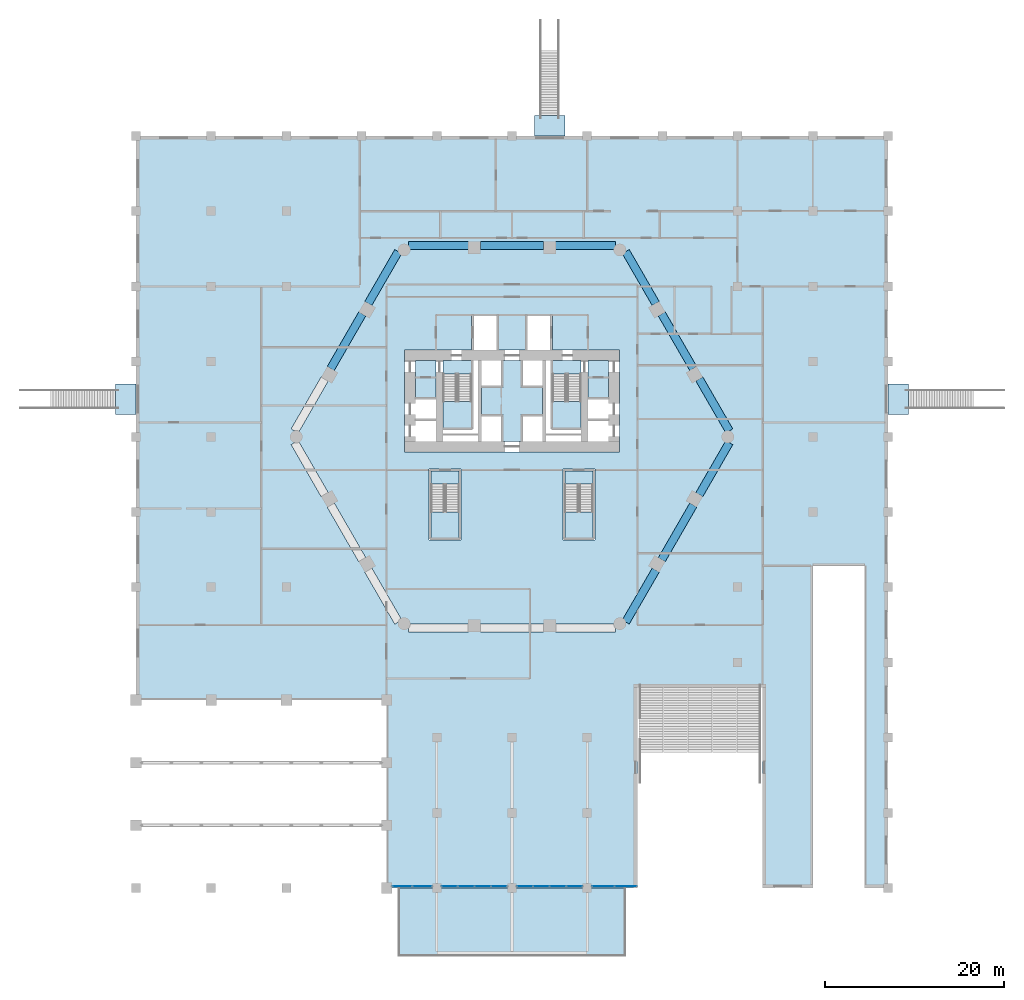
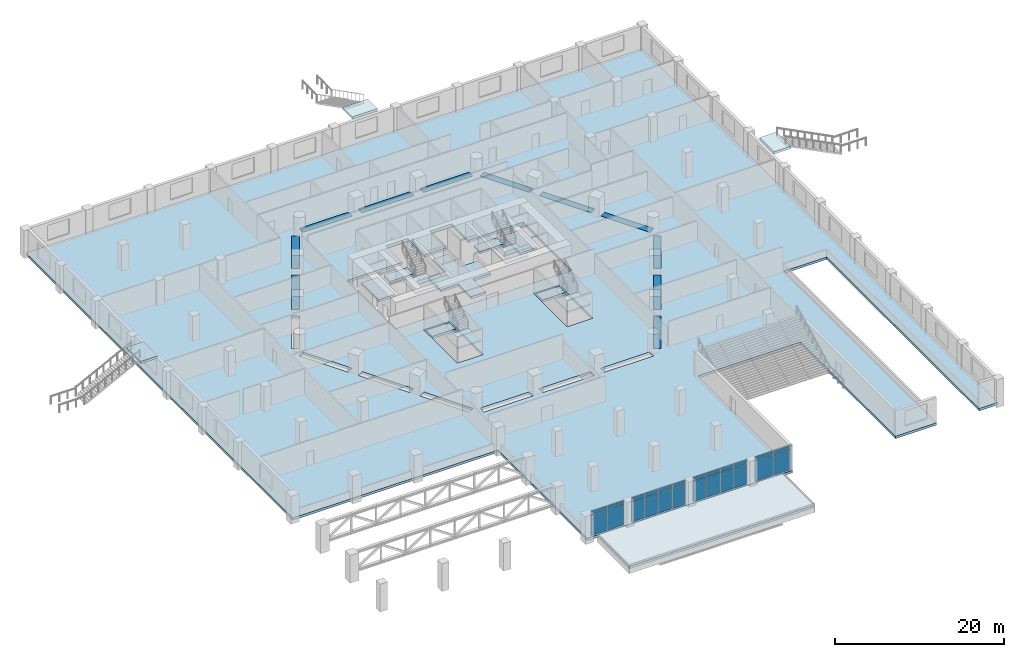
# One storey, part 11 of 24: 24 plates, 16 slabs, 11 beams, 11 elements without a shape of their own.
"""IFC4 building model written with IfcOpenShell, lengths in metres."""

from ifc_helpers import new_model, si_unit, direction, frame, origin, origin_2d, place, context, subcontext, project, spatial, polyline, rectangle, outline, extrude, material, layer, layer_set, material_profile, profile_set, type_object, element, aggregate, save


model = new_model("IFC4")

# Units and contexts
model_context = context("Model", 3, precision=1e-05, world=origin(), true_north=direction((0.0, 1.0)))
body_context = subcontext(model_context, "Body", "Model", "MODEL_VIEW")
ifc_project = project(units=[si_unit("LENGTHUNIT", "METRE"), si_unit("AREAUNIT", "SQUARE_METRE"), si_unit("VOLUMEUNIT", "CUBIC_METRE"), si_unit("PLANEANGLEUNIT", "RADIAN"), si_unit("MASSUNIT", "GRAM", prefix="KILO")], contexts=[model_context])

# Site, building, storey
site_placement = place(None, origin())
site = spatial("IfcSite", under=ifc_project, at=site_placement, CompositionType="ELEMENT")
building_placement = place(site_placement, origin())
building = spatial("IfcBuilding", under=site, at=building_placement, Name="Ostrander Bayou Hotel Tower", CompositionType="ELEMENT")
storey_placement = place(building_placement, frame((0.0, 0.0, 6.0)))
storey = spatial("IfcBuildingStorey", under=building, at=storey_placement, Name="L01", CompositionType="ELEMENT", Elevation=6.0)

# Beams
ifc_material_1 = material(Name="Concrete f'c 70 MPa", Category="concrete")
ifc_material_profile = material_profile(ifc_material_1, rectangle(XDim=0.89990234375, YDim=1.199951171875, at=origin_2d()))
ifc_profile_set = profile_set([ifc_material_profile], Name="Concrete f'c 70 MPa")
beam_type = type_object("IfcBeamType", Name="SP1 spandrel beam 900 x 1200 mm f'c 70 MPa", PredefinedType="SPANDREL", material=ifc_profile_set)
beam_1_placement = place(storey_placement, frame((11.569091796875, 21.35009765625, -0.60009765625), z_axis=(-1.0, 0.0, 0.0), x_axis=(0.0, -1.0, 0.0)))
element("IfcBeam", 1, at=beam_1_placement, inside=storey, type_object=beam_type, Name="SP1 L01 N-1", PredefinedType="SPANDREL", context=body_context, shape_type="SweptSolid", body=[
    extrude(rectangle(XDim=0.89990234375, YDim=1.199951171875, at=origin_2d()), origin(), (0.0, 0.0, 1.0), 6.70361328125),
])
beam_2_placement = place(storey_placement, frame((3.525390625, 21.35009765625, -0.60009765625), z_axis=(-1.0, 0.0, 0.0), x_axis=(0.0, -1.0, 0.0)))
element("IfcBeam", 2, at=beam_2_placement, inside=storey, type_object=beam_type, Name="SP1 L01 N-2", PredefinedType="SPANDREL", context=body_context, shape_type="SweptSolid", body=[
    extrude(rectangle(XDim=0.89990234375, YDim=1.199951171875, at=origin_2d()), origin(), (0.0, 0.0, 1.0), 7.05078125),
])
for number, where, z_axis, x_axis, name in (
    (3, (-4.865478515625, 21.35009765625, -0.60009765625), (-1.0, 0.0, 0.0), (0.0, -1.0, 0.0), "SP1 L01 N-3"),
    (4, (-12.705078125, 20.694091796875, -0.60009765625), (-0.500005133765, -0.866022439784, 0.0), (0.866022439784, -0.500005133765, 0.0), "SP1 L01 NW-1"),
):
    element("IfcBeam", number, at=place(storey_placement, frame(where, z_axis=z_axis, x_axis=x_axis)), inside=storey, type_object=beam_type, Name=name, PredefinedType="SPANDREL", context=body_context, shape_type="SweptSolid", body=[
        extrude(rectangle(XDim=0.89990234375, YDim=1.199951171875, at=origin_2d()), origin(), (0.0, 0.0, 1.0), 6.70361328125),
    ])
beam_3_placement = place(storey_placement, frame((-16.726806640625, 13.72802734375, -0.60009765625), z_axis=(-0.499997206141, -0.866027016814, 0.0), x_axis=(0.866027016814, -0.499997206141, 0.0)))
element("IfcBeam", 5, at=beam_3_placement, inside=storey, type_object=beam_type, Name="SP1 L01 NW-2", PredefinedType="SPANDREL", context=body_context, shape_type="SweptSolid", body=[
    extrude(rectangle(XDim=0.89990234375, YDim=1.199951171875, at=origin_2d()), origin(), (0.0, 0.0, 1.0), 7.05078125),
])
beam_4_placement = place(storey_placement, frame((12.705078125, -20.694091796875, -0.60009765625), z_axis=(0.500005133765, 0.866022439784, 0.0), x_axis=(-0.866022439784, 0.500005133765, 0.0)))
element("IfcBeam", 6, at=beam_4_placement, inside=storey, type_object=beam_type, Name="SP1 L01 SE-1", PredefinedType="SPANDREL", context=body_context, shape_type="SweptSolid", body=[
    extrude(rectangle(XDim=0.89990234375, YDim=1.199951171875, at=origin_2d()), origin(), (0.0, 0.0, 1.0), 6.70361328125),
])
beam_5_placement = place(storey_placement, frame((16.726806640625, -13.72802734375, -0.60009765625), z_axis=(0.499997206141, 0.866027016814, 0.0), x_axis=(-0.866027016814, 0.499997206141, 0.0)))
element("IfcBeam", 7, at=beam_5_placement, inside=storey, type_object=beam_type, Name="SP1 L01 SE-2", PredefinedType="SPANDREL", context=body_context, shape_type="SweptSolid", body=[
    extrude(rectangle(XDim=0.89990234375, YDim=1.199951171875, at=origin_2d()), origin(), (0.0, 0.0, 1.0), 7.05078125),
])
for number, where, z_axis, x_axis, name in (
    (8, (20.92236328125, -6.46142578125, -0.60009765625), (0.500005133765, 0.866022439784, 0.0), (-0.866022439784, 0.500005133765, 0.0), "SP1 L01 SE-3"),
    (9, (24.274169921875, 0.656005859375, -0.60009765625), (-0.500005133765, 0.866022439784, 0.0), (-0.866022439784, -0.500005133765, 0.0), "SP1 L01 NE-1"),
):
    element("IfcBeam", number, at=place(storey_placement, frame(where, z_axis=z_axis, x_axis=x_axis)), inside=storey, type_object=beam_type, Name=name, PredefinedType="SPANDREL", context=body_context, shape_type="SweptSolid", body=[
        extrude(rectangle(XDim=0.89990234375, YDim=1.199951171875, at=origin_2d()), origin(), (0.0, 0.0, 1.0), 6.70361328125),
    ])
beam_6_placement = place(storey_placement, frame((20.252197265625, 7.621826171875, -0.60009765625), z_axis=(-0.499997206141, 0.866027016814, 0.0), x_axis=(-0.866027016814, -0.499997206141, 0.0)))
element("IfcBeam", 10, at=beam_6_placement, inside=storey, type_object=beam_type, Name="SP1 L01 NE-2", PredefinedType="SPANDREL", context=body_context, shape_type="SweptSolid", body=[
    extrude(rectangle(XDim=0.89990234375, YDim=1.199951171875, at=origin_2d()), origin(), (0.0, 0.0, 1.0), 7.05078125),
])
beam_7_placement = place(storey_placement, frame((16.056884765625, 14.888671875, -0.60009765625), z_axis=(-0.500005133765, 0.866022439784, 0.0), x_axis=(-0.866022439784, -0.500005133765, 0.0)))
element("IfcBeam", 11, at=beam_7_placement, inside=storey, type_object=beam_type, Name="SP1 L01 NE-3", PredefinedType="SPANDREL", context=body_context, shape_type="SweptSolid", body=[
    extrude(rectangle(XDim=0.89990234375, YDim=1.199951171875, at=origin_2d()), origin(), (0.0, 0.0, 1.0), 6.70361328125),
])

# Curtain wall, plates
ifc_material_2 = material(Name="Aluminium and clear glass", Category="aluminium")
curtain_wall_type = type_object("IfcCurtainWallType", Name="CW-LOBBY glazed wall", PredefinedType="NOTDEFINED", material=ifc_material_2)
curtain_wall_1_placement = place(storey_placement, origin())
curtain_wall_1 = element("IfcCurtainWall", 12, at=curtain_wall_1_placement, inside=storey, type_object=curtain_wall_type, Name="CW-LOBBY L01:2", PredefinedType="NOTDEFINED")
ifc_material_3 = material(Name="Clear laminated glass", Category="glass")
ifc_layer_1 = layer(ifc_material_3, 0.028076171875)
ifc_layer_set_1 = layer_set([ifc_layer_1], Name="CW-LO glazing panel 28 mm")
plate_type = type_object("IfcPlateType", Name="CW-LO glazing panel 28 mm", PredefinedType="CURTAIN_PANEL", material=ifc_layer_set_1)
plate_1_placement = place(storey_placement, frame((12.7099609375, -50.199951171875, 0.06005859375), z_axis=(0.0, 0.0, 1.0), x_axis=(-1.0, 0.0, 0.0)))
plate_1 = element("IfcPlate", 13, at=plate_1_placement, type_object=plate_type, Name="CW-LOBBY panel 1.1", PredefinedType="CURTAIN_PANEL", context=body_context, shape_type="SweptSolid", body=[
    extrude(rectangle(XDim=2.4599609375, YDim=0.028076171875, at=origin_2d()), origin(), (0.0, 0.0, 1.0), 2.909912109375),
])
plate_2_placement = place(storey_placement, frame((12.7099609375, -50.199951171875, 3.030029296875), z_axis=(0.0, 0.0, 1.0), x_axis=(-1.0, 0.0, 0.0)))
plate_2 = element("IfcPlate", 14, at=plate_2_placement, type_object=plate_type, Name="CW-LOBBY panel 1.2", PredefinedType="CURTAIN_PANEL", context=body_context, shape_type="SweptSolid", body=[
    extrude(rectangle(XDim=2.4599609375, YDim=0.028076171875, at=origin_2d()), origin(), (0.0, 0.0, 1.0), 0.56005859375),
])
plate_3_placement = place(storey_placement, frame((10.18994140625, -50.199951171875, 0.06005859375), z_axis=(0.0, 0.0, 1.0), x_axis=(-1.0, 0.0, 0.0)))
plate_3 = element("IfcPlate", 15, at=plate_3_placement, type_object=plate_type, Name="CW-LOBBY panel 2.1", PredefinedType="CURTAIN_PANEL", context=body_context, shape_type="SweptSolid", body=[
    extrude(rectangle(XDim=2.4599609375, YDim=0.028076171875, at=origin_2d()), origin(), (0.0, 0.0, 1.0), 2.909912109375),
])
plate_4_placement = place(storey_placement, frame((10.18994140625, -50.199951171875, 3.030029296875), z_axis=(0.0, 0.0, 1.0), x_axis=(-1.0, 0.0, 0.0)))
plate_4 = element("IfcPlate", 16, at=plate_4_placement, type_object=plate_type, Name="CW-LOBBY panel 2.2", PredefinedType="CURTAIN_PANEL", context=body_context, shape_type="SweptSolid", body=[
    extrude(rectangle(XDim=2.4599609375, YDim=0.028076171875, at=origin_2d()), origin(), (0.0, 0.0, 1.0), 0.56005859375),
])
aggregate(curtain_wall_1, [plate_1, plate_2, plate_3, plate_4])

curtain_wall_2_placement = place(storey_placement, origin())
curtain_wall_2 = element("IfcCurtainWall", 17, at=curtain_wall_2_placement, inside=storey, type_object=curtain_wall_type, Name="CW-LOBBY L01:3", PredefinedType="NOTDEFINED")
plate_5_placement = place(storey_placement, frame((6.9599609375, -50.199951171875, 0.06005859375), z_axis=(0.0, 0.0, 1.0), x_axis=(-1.0, 0.0, 0.0)))
plate_5 = element("IfcPlate", 18, at=plate_5_placement, type_object=plate_type, Name="CW-LOBBY panel 1.1", PredefinedType="CURTAIN_PANEL", context=body_context, shape_type="SweptSolid", body=[
    extrude(rectangle(XDim=1.760009765625, YDim=0.028076171875, at=origin_2d()), origin(), (0.0, 0.0, 1.0), 2.909912109375),
])
plate_6_placement = place(storey_placement, frame((6.9599609375, -50.199951171875, 3.030029296875), z_axis=(0.0, 0.0, 1.0), x_axis=(-1.0, 0.0, 0.0)))
plate_6 = element("IfcPlate", 19, at=plate_6_placement, type_object=plate_type, Name="CW-LOBBY panel 1.2", PredefinedType="CURTAIN_PANEL", context=body_context, shape_type="SweptSolid", body=[
    extrude(rectangle(XDim=1.760009765625, YDim=0.028076171875, at=origin_2d()), origin(), (0.0, 0.0, 1.0), 0.56005859375),
])
plate_7_placement = place(storey_placement, frame((5.125, -50.199951171875, 0.06005859375), z_axis=(0.0, 0.0, 1.0), x_axis=(-1.0, 0.0, 0.0)))
plate_7 = element("IfcPlate", 20, at=plate_7_placement, type_object=plate_type, Name="CW-LOBBY panel 2.1", PredefinedType="CURTAIN_PANEL", context=body_context, shape_type="SweptSolid", body=[
    extrude(rectangle(XDim=1.7900390625, YDim=0.028076171875, at=origin_2d()), origin(), (0.0, 0.0, 1.0), 2.909912109375),
])
plate_8_placement = place(storey_placement, frame((5.125, -50.199951171875, 3.030029296875), z_axis=(0.0, 0.0, 1.0), x_axis=(-1.0, 0.0, 0.0)))
plate_8 = element("IfcPlate", 21, at=plate_8_placement, type_object=plate_type, Name="CW-LOBBY panel 2.2", PredefinedType="CURTAIN_PANEL", context=body_context, shape_type="SweptSolid", body=[
    extrude(rectangle(XDim=1.7900390625, YDim=0.028076171875, at=origin_2d()), origin(), (0.0, 0.0, 1.0), 0.56005859375),
])
plate_9_placement = place(storey_placement, frame((3.27490234375, -50.199951171875, 0.06005859375), z_axis=(0.0, 0.0, 1.0), x_axis=(-1.0, 0.0, 0.0)))
plate_9 = element("IfcPlate", 22, at=plate_9_placement, type_object=plate_type, Name="CW-LOBBY panel 3.1", PredefinedType="CURTAIN_PANEL", context=body_context, shape_type="SweptSolid", body=[
    extrude(rectangle(XDim=1.7900390625, YDim=0.028076171875, at=origin_2d()), origin(), (0.0, 0.0, 1.0), 2.909912109375),
])
plate_10_placement = place(storey_placement, frame((3.27490234375, -50.199951171875, 3.030029296875), z_axis=(0.0, 0.0, 1.0), x_axis=(-1.0, 0.0, 0.0)))
plate_10 = element("IfcPlate", 23, at=plate_10_placement, type_object=plate_type, Name="CW-LOBBY panel 3.2", PredefinedType="CURTAIN_PANEL", context=body_context, shape_type="SweptSolid", body=[
    extrude(rectangle(XDim=1.7900390625, YDim=0.028076171875, at=origin_2d()), origin(), (0.0, 0.0, 1.0), 0.56005859375),
])
plate_11_placement = place(storey_placement, frame((1.43994140625, -50.199951171875, 0.06005859375), z_axis=(0.0, 0.0, 1.0), x_axis=(-1.0, 0.0, 0.0)))
plate_11 = element("IfcPlate", 24, at=plate_11_placement, type_object=plate_type, Name="CW-LOBBY panel 4.1", PredefinedType="CURTAIN_PANEL", context=body_context, shape_type="SweptSolid", body=[
    extrude(rectangle(XDim=1.760009765625, YDim=0.028076171875, at=origin_2d()), origin(), (0.0, 0.0, 1.0), 2.909912109375),
])
plate_12_placement = place(storey_placement, frame((1.43994140625, -50.199951171875, 3.030029296875), z_axis=(0.0, 0.0, 1.0), x_axis=(-1.0, 0.0, 0.0)))
plate_12 = element("IfcPlate", 25, at=plate_12_placement, type_object=plate_type, Name="CW-LOBBY panel 4.2", PredefinedType="CURTAIN_PANEL", context=body_context, shape_type="SweptSolid", body=[
    extrude(rectangle(XDim=1.760009765625, YDim=0.028076171875, at=origin_2d()), origin(), (0.0, 0.0, 1.0), 0.56005859375),
])
aggregate(curtain_wall_2, [plate_5, plate_6, plate_7, plate_8, plate_9, plate_10, plate_11, plate_12])

curtain_wall_3_placement = place(storey_placement, origin())
curtain_wall_3 = element("IfcCurtainWall", 26, at=curtain_wall_3_placement, inside=storey, type_object=curtain_wall_type, Name="CW-LOBBY L01:4", PredefinedType="NOTDEFINED")
plate_13_placement = place(storey_placement, frame((-1.43994140625, -50.199951171875, 0.06005859375), z_axis=(0.0, 0.0, 1.0), x_axis=(-1.0, 0.0, 0.0)))
plate_13 = element("IfcPlate", 27, at=plate_13_placement, type_object=plate_type, Name="CW-LOBBY panel 1.1", PredefinedType="CURTAIN_PANEL", context=body_context, shape_type="SweptSolid", body=[
    extrude(rectangle(XDim=1.760009765625, YDim=0.028076171875, at=origin_2d()), origin(), (0.0, 0.0, 1.0), 2.909912109375),
])
plate_14_placement = place(storey_placement, frame((-1.43994140625, -50.199951171875, 3.030029296875), z_axis=(0.0, 0.0, 1.0), x_axis=(-1.0, 0.0, 0.0)))
plate_14 = element("IfcPlate", 28, at=plate_14_placement, type_object=plate_type, Name="CW-LOBBY panel 1.2", PredefinedType="CURTAIN_PANEL", context=body_context, shape_type="SweptSolid", body=[
    extrude(rectangle(XDim=1.760009765625, YDim=0.028076171875, at=origin_2d()), origin(), (0.0, 0.0, 1.0), 0.56005859375),
])
plate_15_placement = place(storey_placement, frame((-3.27490234375, -50.199951171875, 0.06005859375), z_axis=(0.0, 0.0, 1.0), x_axis=(-1.0, 0.0, 0.0)))
plate_15 = element("IfcPlate", 29, at=plate_15_placement, type_object=plate_type, Name="CW-LOBBY panel 2.1", PredefinedType="CURTAIN_PANEL", context=body_context, shape_type="SweptSolid", body=[
    extrude(rectangle(XDim=1.7900390625, YDim=0.028076171875, at=origin_2d()), origin(), (0.0, 0.0, 1.0), 2.909912109375),
])
plate_16_placement = place(storey_placement, frame((-3.27490234375, -50.199951171875, 3.030029296875), z_axis=(0.0, 0.0, 1.0), x_axis=(-1.0, 0.0, 0.0)))
plate_16 = element("IfcPlate", 30, at=plate_16_placement, type_object=plate_type, Name="CW-LOBBY panel 2.2", PredefinedType="CURTAIN_PANEL", context=body_context, shape_type="SweptSolid", body=[
    extrude(rectangle(XDim=1.7900390625, YDim=0.028076171875, at=origin_2d()), origin(), (0.0, 0.0, 1.0), 0.56005859375),
])
plate_17_placement = place(storey_placement, frame((-5.125, -50.199951171875, 0.06005859375), z_axis=(0.0, 0.0, 1.0), x_axis=(-1.0, 0.0, 0.0)))
plate_17 = element("IfcPlate", 31, at=plate_17_placement, type_object=plate_type, Name="CW-LOBBY panel 3.1", PredefinedType="CURTAIN_PANEL", context=body_context, shape_type="SweptSolid", body=[
    extrude(rectangle(XDim=1.7900390625, YDim=0.028076171875, at=origin_2d()), origin(), (0.0, 0.0, 1.0), 2.909912109375),
])
plate_18_placement = place(storey_placement, frame((-5.125, -50.199951171875, 3.030029296875), z_axis=(0.0, 0.0, 1.0), x_axis=(-1.0, 0.0, 0.0)))
plate_18 = element("IfcPlate", 32, at=plate_18_placement, type_object=plate_type, Name="CW-LOBBY panel 3.2", PredefinedType="CURTAIN_PANEL", context=body_context, shape_type="SweptSolid", body=[
    extrude(rectangle(XDim=1.7900390625, YDim=0.028076171875, at=origin_2d()), origin(), (0.0, 0.0, 1.0), 0.56005859375),
])
plate_19_placement = place(storey_placement, frame((-6.9599609375, -50.199951171875, 0.06005859375), z_axis=(0.0, 0.0, 1.0), x_axis=(-1.0, 0.0, 0.0)))
plate_19 = element("IfcPlate", 33, at=plate_19_placement, type_object=plate_type, Name="CW-LOBBY panel 4.1", PredefinedType="CURTAIN_PANEL", context=body_context, shape_type="SweptSolid", body=[
    extrude(rectangle(XDim=1.760009765625, YDim=0.028076171875, at=origin_2d()), origin(), (0.0, 0.0, 1.0), 2.909912109375),
])
plate_20_placement = place(storey_placement, frame((-6.9599609375, -50.199951171875, 3.030029296875), z_axis=(0.0, 0.0, 1.0), x_axis=(-1.0, 0.0, 0.0)))
plate_20 = element("IfcPlate", 34, at=plate_20_placement, type_object=plate_type, Name="CW-LOBBY panel 4.2", PredefinedType="CURTAIN_PANEL", context=body_context, shape_type="SweptSolid", body=[
    extrude(rectangle(XDim=1.760009765625, YDim=0.028076171875, at=origin_2d()), origin(), (0.0, 0.0, 1.0), 0.56005859375),
])
aggregate(curtain_wall_3, [plate_13, plate_14, plate_15, plate_16, plate_17, plate_18, plate_19, plate_20])

curtain_wall_4_placement = place(storey_placement, origin())
curtain_wall_4 = element("IfcCurtainWall", 35, at=curtain_wall_4_placement, inside=storey, type_object=curtain_wall_type, Name="CW-LOBBY L01:5", PredefinedType="NOTDEFINED")
plate_21_placement = place(storey_placement, frame((-10.0400390625, -50.199951171875, 0.06005859375), z_axis=(0.0, 0.0, 1.0), x_axis=(-1.0, 0.0, 0.0)))
plate_21 = element("IfcPlate", 36, at=plate_21_placement, type_object=plate_type, Name="CW-LOBBY panel 1.1", PredefinedType="CURTAIN_PANEL", context=body_context, shape_type="SweptSolid", body=[
    extrude(rectangle(XDim=2.159912109375, YDim=0.028076171875, at=origin_2d()), origin(), (0.0, 0.0, 1.0), 2.909912109375),
])
plate_22_placement = place(storey_placement, frame((-10.0400390625, -50.199951171875, 3.030029296875), z_axis=(0.0, 0.0, 1.0), x_axis=(-1.0, 0.0, 0.0)))
plate_22 = element("IfcPlate", 37, at=plate_22_placement, type_object=plate_type, Name="CW-LOBBY panel 1.2", PredefinedType="CURTAIN_PANEL", context=body_context, shape_type="SweptSolid", body=[
    extrude(rectangle(XDim=2.159912109375, YDim=0.028076171875, at=origin_2d()), origin(), (0.0, 0.0, 1.0), 0.56005859375),
])
plate_23_placement = place(storey_placement, frame((-12.260009765625, -50.199951171875, 0.06005859375), z_axis=(0.0, 0.0, 1.0), x_axis=(-1.0, 0.0, 0.0)))
plate_23 = element("IfcPlate", 38, at=plate_23_placement, type_object=plate_type, Name="CW-LOBBY panel 2.1", PredefinedType="CURTAIN_PANEL", context=body_context, shape_type="SweptSolid", body=[
    extrude(rectangle(XDim=2.159912109375, YDim=0.028076171875, at=origin_2d()), origin(), (0.0, 0.0, 1.0), 2.909912109375),
])
plate_24_placement = place(storey_placement, frame((-12.260009765625, -50.199951171875, 3.030029296875), z_axis=(0.0, 0.0, 1.0), x_axis=(-1.0, 0.0, 0.0)))
plate_24 = element("IfcPlate", 39, at=plate_24_placement, type_object=plate_type, Name="CW-LOBBY panel 2.2", PredefinedType="CURTAIN_PANEL", context=body_context, shape_type="SweptSolid", body=[
    extrude(rectangle(XDim=2.159912109375, YDim=0.028076171875, at=origin_2d()), origin(), (0.0, 0.0, 1.0), 0.56005859375),
])
aggregate(curtain_wall_4, [plate_21, plate_22, plate_23, plate_24])

# Slabs
ifc_material_4 = material(Name="Concrete f'c 45 MPa", Category="concrete")
ifc_layer_2 = layer(ifc_material_4, 0.35009765625)
ifc_layer_set_2 = layer_set([ifc_layer_2], Name="SL2 post-tensioned flat plate 350 mm f'c 45 MPa")
slab_type_1 = type_object("IfcSlabType", Name="SL2 post-tensioned flat plate 350 mm f'c 45 MPa", PredefinedType="FLOOR", material=ifc_layer_set_2)
slab_1_placement = place(storey_placement, frame((0.0, 0.0, -0.35009765625)))
element("IfcSlab", 40, at=slab_1_placement, inside=storey, type_object=slab_type_1, Name="SL2 L01 1", PredefinedType="FLOOR", context=body_context, shape_type="SweptSolid", body=[
    extrude(outline(polyline([(42.0, -50.39990234375), (39.39990234375, -50.39990234375), (39.39990234375, -14.39990234375), (33.60009765625, -14.39990234375), (33.60009765625, -50.39990234375), (28.0, -50.39990234375), (28.0, -28.0), (14.0, -28.0), (14.0, -50.39990234375), (-14.0, -50.39990234375), (-14.0, -29.39990234375), (-42.0, -29.39990234375), (-42.0, 33.60009765625), (42.0, 33.60009765625), (42.0, -50.39990234375)]), holes=[polyline([(23.884521484375, 0.430908203125), (24.663818359375, 0.881103515625), (21.31201171875, 6.686279296875), (20.53271484375, 6.236328125), (23.884521484375, 0.430908203125)]), polyline([(20.53271484375, -6.236328125), (21.31201171875, -6.686279296875), (24.663818359375, -0.881103515625), (23.884521484375, -0.430908203125), (20.53271484375, -6.236328125)]), polyline([(19.862548828125, 7.39697265625), (20.64208984375, 7.846923828125), (17.11669921875, 13.953125), (16.337158203125, 13.503173828125), (19.862548828125, 7.39697265625)]), polyline([(16.337158203125, -13.503173828125), (17.11669921875, -13.953125), (20.64208984375, -7.846923828125), (19.862548828125, -7.39697265625), (16.337158203125, -13.503173828125)]), polyline([(15.667236328125, 14.66357421875), (16.446533203125, 15.113525390625), (13.094970703125, 20.9189453125), (12.3154296875, 20.468994140625), (15.667236328125, 14.66357421875)]), polyline([(12.3154296875, -20.468994140625), (13.094970703125, -20.9189453125), (16.446533203125, -15.113525390625), (15.667236328125, -14.66357421875), (12.3154296875, -20.468994140625)]), polyline([(12.0, -1.699951171875), (12.0, 9.699951171875), (4.5, 9.699951171875), (4.5, 13.60009765625), (1.5, 13.60009765625), (1.5, 9.699951171875), (-1.5, 9.699951171875), (-1.5, 13.60009765625), (-4.5, 13.60009765625), (-4.5, 9.699951171875), (-12.0, 9.699951171875), (-12.0, -1.699951171875), (12.0, -1.699951171875)]), polyline([(4.865478515625, 20.89990234375), (11.569091796875, 20.89990234375), (11.569091796875, 21.800048828125), (4.865478515625, 21.800048828125), (4.865478515625, 20.89990234375)]), polyline([(4.865478515625, -20.89990234375), (4.865478515625, -21.800048828125), (11.569091796875, -21.800048828125), (11.569091796875, -20.89990234375), (4.865478515625, -20.89990234375)]), polyline([(5.699951171875, -3.60009765625), (5.699951171875, -11.5), (9.25, -11.5), (9.25, -3.60009765625), (5.699951171875, -3.60009765625)]), polyline([(-3.525390625, 20.89990234375), (3.525390625, 20.89990234375), (3.525390625, 21.800048828125), (-3.525390625, 21.800048828125), (-3.525390625, 20.89990234375)]), polyline([(-3.525390625, -20.89990234375), (-3.525390625, -21.800048828125), (3.525390625, -21.800048828125), (3.525390625, -20.89990234375), (-3.525390625, -20.89990234375)]), polyline([(-11.569091796875, 20.89990234375), (-4.865478515625, 20.89990234375), (-4.865478515625, 21.800048828125), (-11.569091796875, 21.800048828125), (-11.569091796875, 20.89990234375)]), polyline([(-11.569091796875, -20.89990234375), (-11.569091796875, -21.800048828125), (-4.865478515625, -21.800048828125), (-4.865478515625, -20.89990234375), (-11.569091796875, -20.89990234375)]), polyline([(-9.25, -3.60009765625), (-9.25, -11.5), (-5.699951171875, -11.5), (-5.699951171875, -3.60009765625), (-9.25, -3.60009765625)]), polyline([(-15.667236328125, -14.66357421875), (-16.446533203125, -15.113525390625), (-13.094970703125, -20.9189453125), (-12.3154296875, -20.468994140625), (-15.667236328125, -14.66357421875)]), polyline([(-15.667236328125, 14.66357421875), (-12.3154296875, 20.468994140625), (-13.094970703125, 20.9189453125), (-16.446533203125, 15.113525390625), (-15.667236328125, 14.66357421875)]), polyline([(-19.862548828125, -7.39697265625), (-20.64208984375, -7.846923828125), (-17.11669921875, -13.953125), (-16.337158203125, -13.503173828125), (-19.862548828125, -7.39697265625)]), polyline([(-16.337158203125, 13.503173828125), (-17.11669921875, 13.953125), (-20.64208984375, 7.846923828125), (-19.862548828125, 7.39697265625), (-16.337158203125, 13.503173828125)]), polyline([(-23.884521484375, -0.430908203125), (-24.663818359375, -0.881103515625), (-21.31201171875, -6.686279296875), (-20.53271484375, -6.236328125), (-23.884521484375, -0.430908203125)]), polyline([(-20.53271484375, 6.236328125), (-21.31201171875, 6.686279296875), (-24.663818359375, 0.881103515625), (-23.884521484375, 0.430908203125), (-20.53271484375, 6.236328125)])]), origin(), (0.0, 0.0, 1.0), 0.35009765625),
])
ifc_material_5 = material(Name="Concrete f'c 45 MPa", Category="concrete")
ifc_layer_3 = layer(ifc_material_5, 0.35009765625)
ifc_layer_set_3 = layer_set([ifc_layer_3], Name="SL7 canopy slab 350 mm f'c 45 MPa")
slab_type_2 = type_object("IfcSlabType", Name="SL7 canopy slab 350 mm f'c 45 MPa", PredefinedType="ROOF", material=ifc_layer_set_3)
slab_2_placement = place(storey_placement, frame((0.0, 0.0, -0.35009765625)))
element("IfcSlab", 41, at=slab_2_placement, inside=storey, type_object=slab_type_2, Name="SL7 CANOPY 1", PredefinedType="ROOF", context=body_context, shape_type="SweptSolid", body=[
    extrude(outline(polyline([(12.60009765625, -57.89990234375), (-12.60009765625, -57.89990234375), (-12.60009765625, -50.39990234375), (12.60009765625, -50.39990234375), (12.60009765625, -57.89990234375)])), origin(), (0.0, 0.0, 1.0), 0.35009765625),
])

# Stair, slab
ifc_material_6 = material(Name="Concrete f'c 45 MPa", Category="concrete")
stair_type_1 = type_object("IfcStairType", Name="ST1 exit stair 1500 mm f'c 45 MPa", PredefinedType="HALF_TURN_STAIR", material=ifc_material_6)
stair_1_placement = place(storey_placement, origin())
stair_1 = element("IfcStair", 42, at=stair_1_placement, inside=storey, type_object=stair_type_1, Name="L01 exit stair A", PredefinedType="HALF_TURN_STAIR")
ifc_material_7 = material(Name="Concrete f'c 45 MPa", Category="concrete")
ifc_layer_4 = layer(ifc_material_7, 0.199951171875)
ifc_layer_set_4 = layer_set([ifc_layer_4], Name="SL8 stair landing 200 mm f'c 45 MPa")
slab_type_3 = type_object("IfcSlabType", Name="SL8 stair landing 200 mm f'c 45 MPa", PredefinedType="LANDING", material=ifc_layer_set_4)
slab_3_placement = place(storey_placement, frame((0.0, 0.0, 1.800048828125)))
slab_3 = element("IfcSlab", 43, at=slab_3_placement, type_object=slab_type_3, Name="STA landing 1", PredefinedType="LANDING", context=body_context, shape_type="SweptSolid", body=[
    extrude(outline(polyline([(-7.699951171875, 3.919921875), (-7.699951171875, 1.0), (-4.550048828125, 1.0), (-4.550048828125, 3.919921875), (-7.699951171875, 3.919921875)])), origin(), (0.0, 0.0, 1.0), 0.199951171875),
])
aggregate(stair_1, [slab_3])

stair_2_placement = place(storey_placement, origin())
stair_2 = element("IfcStair", 44, at=stair_2_placement, inside=storey, type_object=stair_type_1, Name="L01 exit stair B", PredefinedType="HALF_TURN_STAIR")
slab_4_placement = place(storey_placement, frame((0.0, 0.0, 1.800048828125)))
slab_4 = element("IfcSlab", 45, at=slab_4_placement, type_object=slab_type_3, Name="STB landing 1", PredefinedType="LANDING", context=body_context, shape_type="SweptSolid", body=[
    extrude(outline(polyline([(4.550048828125, 3.919921875), (4.550048828125, 1.0), (7.699951171875, 1.0), (7.699951171875, 3.919921875), (4.550048828125, 3.919921875)])), origin(), (0.0, 0.0, 1.0), 0.199951171875),
])
aggregate(stair_2, [slab_4])

stair_3_placement = place(storey_placement, origin())
stair_3 = element("IfcStair", 46, at=stair_3_placement, inside=storey, type_object=stair_type_1, Name="L01 exit stair C", PredefinedType="HALF_TURN_STAIR")
slab_5_placement = place(storey_placement, frame((0.0, 0.0, 1.800048828125)))
slab_5 = element("IfcSlab", 47, at=slab_5_placement, type_object=slab_type_3, Name="STC landing 1", PredefinedType="LANDING", context=body_context, shape_type="SweptSolid", body=[
    extrude(outline(polyline([(5.89990234375, -8.3798828125), (5.89990234375, -11.300048828125), (9.050048828125, -11.300048828125), (9.050048828125, -8.3798828125), (5.89990234375, -8.3798828125)])), origin(), (0.0, 0.0, 1.0), 0.199951171875),
])
aggregate(stair_3, [slab_5])

stair_4_placement = place(storey_placement, origin())
stair_4 = element("IfcStair", 48, at=stair_4_placement, inside=storey, type_object=stair_type_1, Name="L01 exit stair D", PredefinedType="HALF_TURN_STAIR")
slab_6_placement = place(storey_placement, frame((0.0, 0.0, 1.800048828125)))
slab_6 = element("IfcSlab", 49, at=slab_6_placement, type_object=slab_type_3, Name="STD landing 1", PredefinedType="LANDING", context=body_context, shape_type="SweptSolid", body=[
    extrude(outline(polyline([(-9.050048828125, -8.3798828125), (-9.050048828125, -11.300048828125), (-5.89990234375, -11.300048828125), (-5.89990234375, -8.3798828125), (-9.050048828125, -8.3798828125)])), origin(), (0.0, 0.0, 1.0), 0.199951171875),
])
aggregate(stair_4, [slab_6])

# Slabs
ifc_material_8 = material(Name="Concrete f'c 45 MPa", Category="concrete")
ifc_layer_5 = layer(ifc_material_8, 0.35009765625)
ifc_layer_set_5 = layer_set([ifc_layer_5], Name="SL9 podium core floor slab 350 mm f'c 45 MPa")
slab_type_4 = type_object("IfcSlabType", Name="SL9 podium core floor slab 350 mm f'c 45 MPa", PredefinedType="FLOOR", material=ifc_layer_set_5)
slab_7_placement = place(storey_placement, frame((0.0, 0.0, -0.35009765625)))
element("IfcSlab", 50, at=slab_7_placement, inside=storey, type_object=slab_type_4, Name="cslab:L01:001", PredefinedType="FLOOR", context=body_context, shape_type="SweptSolid", body=[
    extrude(outline(polyline([(-3.39990234375, 5.5), (-1.0, 5.5), (-1.0, 8.5), (1.0, 8.5), (1.0, 5.5), (3.39990234375, 5.5), (3.39990234375, 2.5), (1.0, 2.5), (1.0, -0.5), (-1.0, -0.5), (-1.0, 2.5), (-3.39990234375, 2.5), (-3.39990234375, 5.5)])), origin(), (0.0, 0.0, 1.0), 0.35009765625),
])
slab_8_placement = place(storey_placement, frame((0.0, 0.0, -0.35009765625)))
element("IfcSlab", 51, at=slab_8_placement, inside=storey, type_object=slab_type_4, Name="cslab:L01:002", PredefinedType="FLOOR", context=body_context, shape_type="SweptSolid", body=[
    extrude(outline(polyline([(-8.5, 4.39990234375), (-8.5, 8.5), (-10.800048828125, 8.5), (-10.800048828125, 4.39990234375), (-8.5, 4.39990234375)])), origin(), (0.0, 0.0, 1.0), 0.35009765625),
])
slab_9_placement = place(storey_placement, frame((0.0, 0.0, -0.35009765625)))
element("IfcSlab", 52, at=slab_9_placement, inside=storey, type_object=slab_type_4, Name="cslab:L01:003", PredefinedType="FLOOR", context=body_context, shape_type="SweptSolid", body=[
    extrude(outline(polyline([(10.800048828125, 4.39990234375), (10.800048828125, 8.5), (8.5, 8.5), (8.5, 4.39990234375), (10.800048828125, 4.39990234375)])), origin(), (0.0, 0.0, 1.0), 0.35009765625),
])
slab_10_placement = place(storey_placement, frame((0.0, 0.0, -0.35009765625)))
element("IfcSlab", 53, at=slab_10_placement, inside=storey, type_object=slab_type_4, Name="cslab:L01:004", PredefinedType="FLOOR", context=body_context, shape_type="SweptSolid", body=[
    extrude(outline(polyline([(-4.550048828125, 7.0), (-4.550048828125, 8.5), (-7.699951171875, 8.5), (-7.699951171875, 7.0), (-4.550048828125, 7.0)])), origin(), (0.0, 0.0, 1.0), 0.35009765625),
])
slab_11_placement = place(storey_placement, frame((0.0, 0.0, -0.35009765625)))
element("IfcSlab", 54, at=slab_11_placement, inside=storey, type_object=slab_type_4, Name="cslab:L01:005", PredefinedType="FLOOR", context=body_context, shape_type="SweptSolid", body=[
    extrude(outline(polyline([(7.699951171875, 7.0), (7.699951171875, 8.5), (4.550048828125, 8.5), (4.550048828125, 7.0), (7.699951171875, 7.0)])), origin(), (0.0, 0.0, 1.0), 0.35009765625),
])
slab_12_placement = place(storey_placement, frame((0.0, 0.0, -0.35009765625)))
element("IfcSlab", 55, at=slab_12_placement, inside=storey, type_object=slab_type_4, Name="cslab:L01:006", PredefinedType="FLOOR", context=body_context, shape_type="SweptSolid", body=[
    extrude(outline(polyline([(9.050048828125, -5.300048828125), (9.050048828125, -3.800048828125), (5.89990234375, -3.800048828125), (5.89990234375, -5.300048828125), (9.050048828125, -5.300048828125)])), origin(), (0.0, 0.0, 1.0), 0.35009765625),
])
slab_13_placement = place(storey_placement, frame((0.0, 0.0, -0.35009765625)))
element("IfcSlab", 56, at=slab_13_placement, inside=storey, type_object=slab_type_4, Name="cslab:L01:007", PredefinedType="FLOOR", context=body_context, shape_type="SweptSolid", body=[
    extrude(outline(polyline([(-5.89990234375, -5.300048828125), (-5.89990234375, -3.800048828125), (-9.050048828125, -3.800048828125), (-9.050048828125, -5.300048828125), (-5.89990234375, -5.300048828125)])), origin(), (0.0, 0.0, 1.0), 0.35009765625),
])

# Stair, slab
ifc_material_9 = material(Name="Concrete f'c 40 MPa", Category="concrete")
stair_type_2 = type_object("IfcStairType", Name="ST11 deck stair 2200 mm", PredefinedType="STRAIGHT_RUN_STAIR", material=ifc_material_9)
stair_5_placement = place(storey_placement, origin())
stair_5 = element("IfcStair", 57, at=stair_5_placement, inside=storey, type_object=stair_type_2, Name="ST11 deck stair E", PredefinedType="STRAIGHT_RUN_STAIR")
ifc_material_10 = material(Name="Concrete f'c 40 MPa", Category="concrete")
ifc_layer_6 = layer(ifc_material_10, 0.35009765625)
ifc_layer_set_6 = layer_set([ifc_layer_6], Name="ST11 stair landing 350 mm")
slab_type_5 = type_object("IfcSlabType", Name="ST11 stair landing 350 mm", PredefinedType="LANDING", material=ifc_layer_set_6)
slab_14_placement = place(storey_placement, frame((0.0, 0.0, 3.64990234375)))
slab_14 = element("IfcSlab", 58, at=slab_14_placement, type_object=slab_type_5, Name="ST11 landing 1", PredefinedType="LANDING", context=body_context, shape_type="SweptSolid", body=[
    extrude(outline(polyline([(42.0, 2.5), (42.0, 5.89990234375), (44.300048828125, 5.89990234375), (44.300048828125, 2.5), (42.0, 2.5)])), origin(), (0.0, 0.0, 1.0), 0.35009765625),
])
aggregate(stair_5, [slab_14])

stair_6_placement = place(storey_placement, origin())
stair_6 = element("IfcStair", 59, at=stair_6_placement, inside=storey, type_object=stair_type_2, Name="ST11 deck stair W", PredefinedType="STRAIGHT_RUN_STAIR")
slab_15_placement = place(storey_placement, frame((0.0, 0.0, 3.64990234375)))
slab_15 = element("IfcSlab", 60, at=slab_15_placement, type_object=slab_type_5, Name="ST11 landing 1", PredefinedType="LANDING", context=body_context, shape_type="SweptSolid", body=[
    extrude(outline(polyline([(-42.0, 5.89990234375), (-42.0, 2.5), (-44.300048828125, 2.5), (-44.300048828125, 5.89990234375), (-42.0, 5.89990234375)])), origin(), (0.0, 0.0, 1.0), 0.35009765625),
])
aggregate(stair_6, [slab_15])

stair_7_placement = place(storey_placement, origin())
stair_7 = element("IfcStair", 61, at=stair_7_placement, inside=storey, type_object=stair_type_2, Name="ST11 deck stair N", PredefinedType="STRAIGHT_RUN_STAIR")
slab_16_placement = place(storey_placement, frame((0.0, 0.0, 3.64990234375)))
slab_16 = element("IfcSlab", 62, at=slab_16_placement, type_object=slab_type_5, Name="ST11 landing 1", PredefinedType="LANDING", context=body_context, shape_type="SweptSolid", body=[
    extrude(outline(polyline([(5.89990234375, 33.60009765625), (2.5, 33.60009765625), (2.5, 35.89990234375), (5.89990234375, 35.89990234375), (5.89990234375, 33.60009765625)])), origin(), (0.0, 0.0, 1.0), 0.35009765625),
])
aggregate(stair_7, [slab_16])

save(model, "model.ifc")
